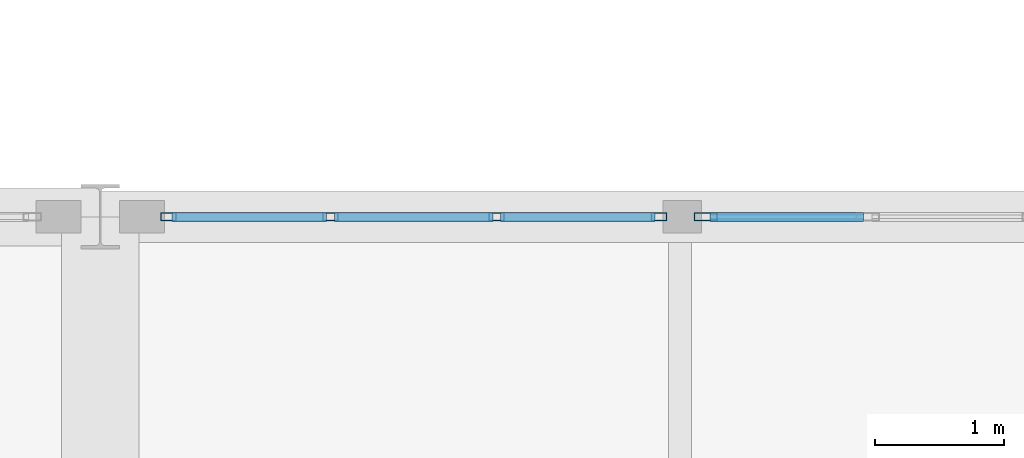
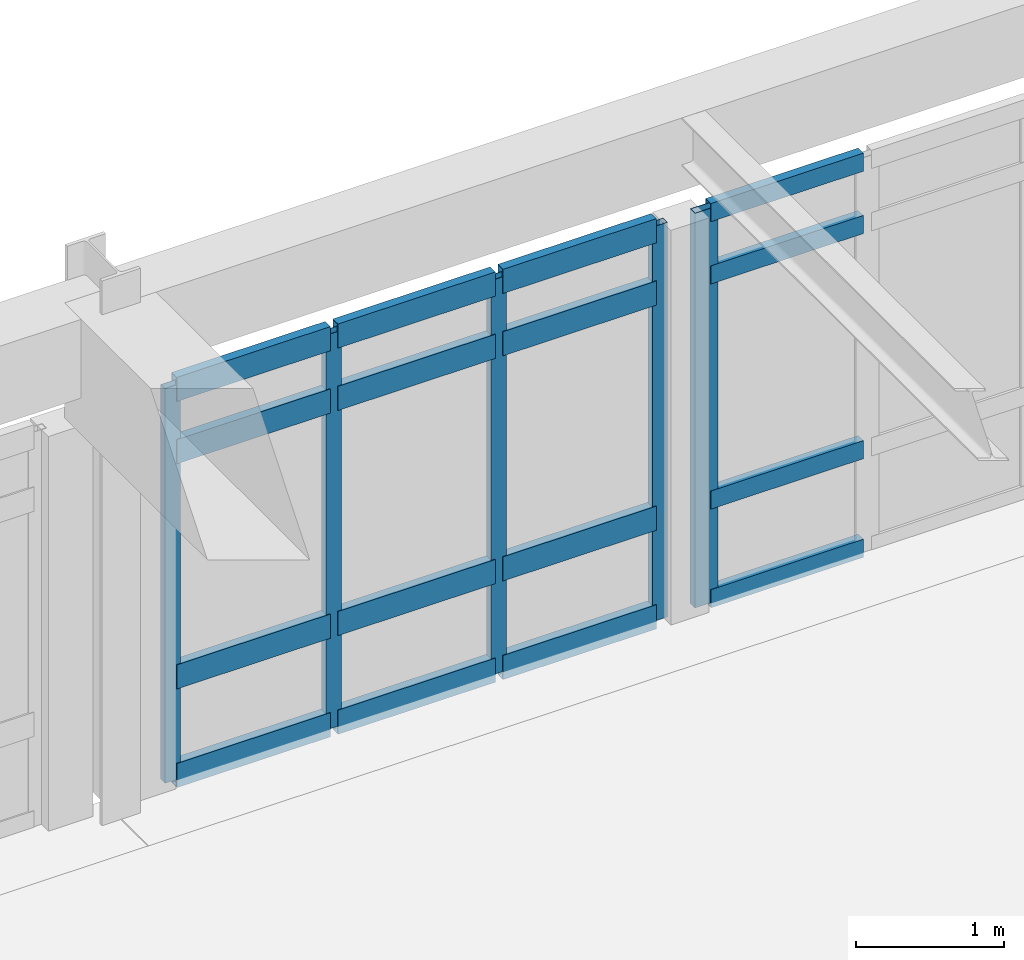
# One storey, part 33 of 80: 21 members, 2 elements without a shape of their own.
"""IFC4 building model written with IfcOpenShell, lengths in metres."""

from ifc_helpers import new_model, si_unit, direction, frame, origin, origin_2d, place, context, subcontext, project, spatial, hollow_rectangle, extrude, material, layer, layer_set, material_profile, profile_set, type_object, element, aggregate, save


model = new_model("IFC4")

# Units and contexts
model_context = context("Model", 3, precision=1e-05, world=origin(), true_north=direction((0.0, 1.0)))
body_context = subcontext(model_context, "Body", "Model", "MODEL_VIEW")
ifc_project = project(units=[si_unit("LENGTHUNIT", "METRE"), si_unit("AREAUNIT", "SQUARE_METRE"), si_unit("VOLUMEUNIT", "CUBIC_METRE"), si_unit("PLANEANGLEUNIT", "RADIAN"), si_unit("MASSUNIT", "GRAM", prefix="KILO")], contexts=[model_context])

# Site, building, storey
site_placement = place(None, origin())
site = spatial("IfcSite", under=ifc_project, at=site_placement, CompositionType="ELEMENT")
building_placement = place(site_placement, origin())
building = spatial("IfcBuilding", under=site, at=building_placement, Name="Fikremerkos Civic Library", CompositionType="ELEMENT")
storey_placement = place(building_placement, frame((0.0, 0.0, 9.89990234375)))
storey = spatial("IfcBuildingStorey", under=building, at=storey_placement, Name="L02", CompositionType="ELEMENT", Elevation=9.89990234375)

# Curtain wall, member
ifc_material = material(Name="Anodized aluminium Frame", Category="aluminium")
ifc_layer_1 = layer(ifc_material, 0.159912109375, Name="Anodized aluminium Frame")
ifc_layer_set_1 = layer_set([ifc_layer_1], Name="Anodized aluminium Frame")
curtain_wall_type_1 = type_object("IfcCurtainWallType", Name="Unitised curtain wall CW-17 4600x3600", PredefinedType="USERDEFINED", material=ifc_layer_set_1)
curtain_wall_1_placement = place(storey_placement, origin())
curtain_wall_1 = element("IfcCurtainWall", 1, at=curtain_wall_1_placement, inside=storey, type_object=curtain_wall_type_1, Name="Unitised curtain wall CW-17 L02 #161", ObjectType="UNITISED CURTAIN WALL", PredefinedType="USERDEFINED")
ifc_material_profile_1 = material_profile(ifc_material, hollow_rectangle(XDim=0.06494140625, YDim=0.179931640625, WallThickness=0.00439453125, at=origin_2d()), Name="ALU 180x65x4.5")
ifc_profile_set_1 = profile_set([ifc_material_profile_1], Name="Anodized aluminium Frame")
member_type_1 = type_object("IfcMemberType", Name="Curtain mullion CWM-01 ALU 180x65x4.5", PredefinedType="MULLION", material=ifc_profile_set_1)
member_1_placement = place(storey_placement, frame((77.8984375, 48.0, 0.0), z_axis=(0.0, 0.0, 1.0), x_axis=(0.0, 1.0, 0.0)))
member_1 = element("IfcMember", 2, at=member_1_placement, type_object=member_type_1, Name="CW-17 mullion 1", PredefinedType="MULLION", context=body_context, shape_type="SweptSolid", body=[
    extrude(hollow_rectangle(XDim=0.06494140625, YDim=0.179931640625, WallThickness=0.00439453125, at=origin_2d()), origin(), (0.0, 0.0, 1.0), 3.260009765625),
])

# Curtain wall, members
ifc_layer_2 = layer(ifc_material, 0.159912109375, Name="Anodized aluminium Frame")
ifc_layer_set_2 = layer_set([ifc_layer_2], Name="Anodized aluminium Frame")
curtain_wall_type_2 = type_object("IfcCurtainWallType", Name="Unitised curtain wall CW-16 3100x4100", PredefinedType="USERDEFINED", material=ifc_layer_set_2)
curtain_wall_2_placement = place(storey_placement, origin())
curtain_wall_2 = element("IfcCurtainWall", 3, at=curtain_wall_2_placement, inside=storey, type_object=curtain_wall_type_2, Name="Unitised curtain wall CW-16 L02 #160", ObjectType="UNITISED CURTAIN WALL", PredefinedType="USERDEFINED")
ifc_material_profile_2 = material_profile(ifc_material, hollow_rectangle(XDim=0.06005859375, YDim=0.1201171875, WallThickness=0.00390625, at=origin_2d()), Name="ALU 120x60x4")
ifc_profile_set_2 = profile_set([ifc_material_profile_2], Name="Anodized aluminium Frame")
member_type_2 = type_object("IfcMemberType", Name="Curtain mullion CWM-04 ALU 120x60x4", PredefinedType="MULLION", material=ifc_profile_set_2)
member_2_placement = place(storey_placement, frame((73.72802734375, 48.0, 0.0), z_axis=(0.0, 0.0, 1.0), x_axis=(0.0, 1.0, 0.0)))
member_2 = element("IfcMember", 4, at=member_2_placement, type_object=member_type_2, Name="CW-16 mullion 1", PredefinedType="MULLION", context=body_context, shape_type="SweptSolid", body=[
    extrude(hollow_rectangle(XDim=0.06005859375, YDim=0.1201171875, WallThickness=0.00390625, at=origin_2d()), origin(), (0.0, 0.0, 1.0), 3.260009765625),
])
member_3_placement = place(storey_placement, frame((74.9873046875, 48.0, 0.0), z_axis=(0.0, 0.0, 1.0), x_axis=(0.0, 1.0, 0.0)))
member_3 = element("IfcMember", 5, at=member_3_placement, type_object=member_type_2, Name="CW-16 mullion 2", PredefinedType="MULLION", context=body_context, shape_type="SweptSolid", body=[
    extrude(hollow_rectangle(XDim=0.06005859375, YDim=0.1201171875, WallThickness=0.00390625, at=origin_2d()), origin(), (0.0, 0.0, 1.0), 3.260009765625),
])
member_4_placement = place(storey_placement, frame((76.276611328125, 48.0, 0.0), z_axis=(0.0, 0.0, 1.0), x_axis=(0.0, 1.0, 0.0)))
member_4 = element("IfcMember", 6, at=member_4_placement, type_object=member_type_2, Name="CW-16 mullion 3", PredefinedType="MULLION", context=body_context, shape_type="SweptSolid", body=[
    extrude(hollow_rectangle(XDim=0.06005859375, YDim=0.1201171875, WallThickness=0.00390625, at=origin_2d()), origin(), (0.0, 0.0, 1.0), 3.260009765625),
])
member_5_placement = place(storey_placement, frame((77.535888671875, 48.0, 0.0), z_axis=(0.0, 0.0, 1.0), x_axis=(0.0, 1.0, 0.0)))
member_5 = element("IfcMember", 7, at=member_5_placement, type_object=member_type_2, Name="CW-16 mullion 4", PredefinedType="MULLION", context=body_context, shape_type="SweptSolid", body=[
    extrude(hollow_rectangle(XDim=0.06005859375, YDim=0.1201171875, WallThickness=0.00390625, at=origin_2d()), origin(), (0.0, 0.0, 1.0), 3.260009765625),
])

# Member
ifc_material_profile_3 = material_profile(ifc_material, hollow_rectangle(XDim=0.070068359375, YDim=0.14990234375, WallThickness=0.00439453125, at=origin_2d()), Name="ALU 150x70x4.5")
ifc_profile_set_3 = profile_set([ifc_material_profile_3], Name="Anodized aluminium Frame")
member_type_3 = type_object("IfcMemberType", Name="Curtain transom CWT-01 ALU 150x70x4.5", PredefinedType="USERDEFINED", material=ifc_profile_set_3)
member_6_placement = place(storey_placement, frame((77.930908203125, 48.0, 0.03515625), z_axis=(1.0, 0.0, 0.0), x_axis=(0.0, 1.0, 0.0)))
member_6 = element("IfcMember", 8, at=member_6_placement, type_object=member_type_3, Name="CW-17 transom 1.1", ObjectType="TRANSOM", PredefinedType="USERDEFINED", context=body_context, shape_type="SweptSolid", body=[
    extrude(hollow_rectangle(XDim=0.070068359375, YDim=0.14990234375, WallThickness=0.00439453125, at=origin_2d()), origin(), (0.0, 0.0, 1.0), 1.19189453125),
])

member_7_placement = place(storey_placement, frame((77.930908203125, 48.0, 0.85009765625), z_axis=(1.0, 0.0, 0.0), x_axis=(0.0, 1.0, 0.0)))
member_7 = element("IfcMember", 9, at=member_7_placement, type_object=member_type_3, Name="CW-17 transom 1.2", ObjectType="TRANSOM", PredefinedType="USERDEFINED", context=body_context, shape_type="SweptSolid", body=[
    extrude(hollow_rectangle(XDim=0.070068359375, YDim=0.14990234375, WallThickness=0.00439453125, at=origin_2d()), origin(), (0.0, 0.0, 1.0), 1.19189453125),
])

member_8_placement = place(storey_placement, frame((77.930908203125, 48.0, 2.710205078125), z_axis=(1.0, 0.0, 0.0), x_axis=(0.0, 1.0, 0.0)))
member_8 = element("IfcMember", 10, at=member_8_placement, type_object=member_type_3, Name="CW-17 transom 1.3", ObjectType="TRANSOM", PredefinedType="USERDEFINED", context=body_context, shape_type="SweptSolid", body=[
    extrude(hollow_rectangle(XDim=0.070068359375, YDim=0.14990234375, WallThickness=0.00439453125, at=origin_2d()), origin(), (0.0, 0.0, 1.0), 1.19189453125),
])

member_9_placement = place(storey_placement, frame((77.930908203125, 48.0, 3.22509765625), z_axis=(1.0, 0.0, 0.0), x_axis=(0.0, 1.0, 0.0)))
member_9 = element("IfcMember", 11, at=member_9_placement, type_object=member_type_3, Name="CW-17 transom 1.4", ObjectType="TRANSOM", PredefinedType="USERDEFINED", context=body_context, shape_type="SweptSolid", body=[
    extrude(hollow_rectangle(XDim=0.070068359375, YDim=0.14990234375, WallThickness=0.00439453125, at=origin_2d()), origin(), (0.0, 0.0, 1.0), 1.19189453125),
])

aggregate(curtain_wall_1, [member_1, member_6, member_7, member_8, member_9])

ifc_material_profile_4 = material_profile(ifc_material, hollow_rectangle(XDim=0.070068359375, YDim=0.199951171875, WallThickness=0.0048828125, at=origin_2d()), Name="ALU 200x70x5")
ifc_profile_set_4 = profile_set([ifc_material_profile_4], Name="Anodized aluminium Frame")
member_type_4 = type_object("IfcMemberType", Name="Curtain transom CWT-04 ALU 200x70x5", PredefinedType="USERDEFINED", material=ifc_profile_set_4)
member_10_placement = place(storey_placement, frame((73.758056640625, 48.0, 0.03515625), z_axis=(1.0, 0.0, 0.0), x_axis=(0.0, 1.0, 0.0)))
member_10 = element("IfcMember", 12, at=member_10_placement, type_object=member_type_4, Name="CW-16 transom 1.1", ObjectType="TRANSOM", PredefinedType="USERDEFINED", context=body_context, shape_type="SweptSolid", body=[
    extrude(hollow_rectangle(XDim=0.070068359375, YDim=0.199951171875, WallThickness=0.0048828125, at=origin_2d()), origin(), (0.0, 0.0, 1.0), 1.19921875),
])

member_11_placement = place(storey_placement, frame((73.758056640625, 48.0, 0.85009765625), z_axis=(1.0, 0.0, 0.0), x_axis=(0.0, 1.0, 0.0)))
member_11 = element("IfcMember", 13, at=member_11_placement, type_object=member_type_4, Name="CW-16 transom 1.2", ObjectType="TRANSOM", PredefinedType="USERDEFINED", context=body_context, shape_type="SweptSolid", body=[
    extrude(hollow_rectangle(XDim=0.070068359375, YDim=0.199951171875, WallThickness=0.0048828125, at=origin_2d()), origin(), (0.0, 0.0, 1.0), 1.19921875),
])

member_12_placement = place(storey_placement, frame((73.758056640625, 48.0, 2.710205078125), z_axis=(1.0, 0.0, 0.0), x_axis=(0.0, 1.0, 0.0)))
member_12 = element("IfcMember", 14, at=member_12_placement, type_object=member_type_4, Name="CW-16 transom 1.3", ObjectType="TRANSOM", PredefinedType="USERDEFINED", context=body_context, shape_type="SweptSolid", body=[
    extrude(hollow_rectangle(XDim=0.070068359375, YDim=0.199951171875, WallThickness=0.0048828125, at=origin_2d()), origin(), (0.0, 0.0, 1.0), 1.19921875),
])

member_13_placement = place(storey_placement, frame((73.758056640625, 48.0, 3.22509765625), z_axis=(1.0, 0.0, 0.0), x_axis=(0.0, 1.0, 0.0)))
member_13 = element("IfcMember", 15, at=member_13_placement, type_object=member_type_4, Name="CW-16 transom 1.4", ObjectType="TRANSOM", PredefinedType="USERDEFINED", context=body_context, shape_type="SweptSolid", body=[
    extrude(hollow_rectangle(XDim=0.070068359375, YDim=0.199951171875, WallThickness=0.0048828125, at=origin_2d()), origin(), (0.0, 0.0, 1.0), 1.19921875),
])

member_14_placement = place(storey_placement, frame((75.017333984375, 48.0, 0.03515625), z_axis=(1.0, 0.0, 0.0), x_axis=(0.0, 1.0, 0.0)))
member_14 = element("IfcMember", 16, at=member_14_placement, type_object=member_type_4, Name="CW-16 transom 2.1", ObjectType="TRANSOM", PredefinedType="USERDEFINED", context=body_context, shape_type="SweptSolid", body=[
    extrude(hollow_rectangle(XDim=0.070068359375, YDim=0.199951171875, WallThickness=0.0048828125, at=origin_2d()), origin(), (0.0, 0.0, 1.0), 1.229248046875),
])

member_15_placement = place(storey_placement, frame((75.017333984375, 48.0, 0.85009765625), z_axis=(1.0, 0.0, 0.0), x_axis=(0.0, 1.0, 0.0)))
member_15 = element("IfcMember", 17, at=member_15_placement, type_object=member_type_4, Name="CW-16 transom 2.2", ObjectType="TRANSOM", PredefinedType="USERDEFINED", context=body_context, shape_type="SweptSolid", body=[
    extrude(hollow_rectangle(XDim=0.070068359375, YDim=0.199951171875, WallThickness=0.0048828125, at=origin_2d()), origin(), (0.0, 0.0, 1.0), 1.229248046875),
])

member_16_placement = place(storey_placement, frame((75.017333984375, 48.0, 2.710205078125), z_axis=(1.0, 0.0, 0.0), x_axis=(0.0, 1.0, 0.0)))
member_16 = element("IfcMember", 18, at=member_16_placement, type_object=member_type_4, Name="CW-16 transom 2.3", ObjectType="TRANSOM", PredefinedType="USERDEFINED", context=body_context, shape_type="SweptSolid", body=[
    extrude(hollow_rectangle(XDim=0.070068359375, YDim=0.199951171875, WallThickness=0.0048828125, at=origin_2d()), origin(), (0.0, 0.0, 1.0), 1.229248046875),
])

member_17_placement = place(storey_placement, frame((75.017333984375, 48.0, 3.22509765625), z_axis=(1.0, 0.0, 0.0), x_axis=(0.0, 1.0, 0.0)))
member_17 = element("IfcMember", 19, at=member_17_placement, type_object=member_type_4, Name="CW-16 transom 2.4", ObjectType="TRANSOM", PredefinedType="USERDEFINED", context=body_context, shape_type="SweptSolid", body=[
    extrude(hollow_rectangle(XDim=0.070068359375, YDim=0.199951171875, WallThickness=0.0048828125, at=origin_2d()), origin(), (0.0, 0.0, 1.0), 1.229248046875),
])

member_18_placement = place(storey_placement, frame((76.306640625, 48.0, 0.03515625), z_axis=(1.0, 0.0, 0.0), x_axis=(0.0, 1.0, 0.0)))
member_18 = element("IfcMember", 20, at=member_18_placement, type_object=member_type_4, Name="CW-16 transom 3.1", ObjectType="TRANSOM", PredefinedType="USERDEFINED", context=body_context, shape_type="SweptSolid", body=[
    extrude(hollow_rectangle(XDim=0.070068359375, YDim=0.199951171875, WallThickness=0.0048828125, at=origin_2d()), origin(), (0.0, 0.0, 1.0), 1.199462890625),
])

member_19_placement = place(storey_placement, frame((76.306640625, 48.0, 0.85009765625), z_axis=(1.0, 0.0, 0.0), x_axis=(0.0, 1.0, 0.0)))
member_19 = element("IfcMember", 21, at=member_19_placement, type_object=member_type_4, Name="CW-16 transom 3.2", ObjectType="TRANSOM", PredefinedType="USERDEFINED", context=body_context, shape_type="SweptSolid", body=[
    extrude(hollow_rectangle(XDim=0.070068359375, YDim=0.199951171875, WallThickness=0.0048828125, at=origin_2d()), origin(), (0.0, 0.0, 1.0), 1.199462890625),
])

member_20_placement = place(storey_placement, frame((76.306640625, 48.0, 2.710205078125), z_axis=(1.0, 0.0, 0.0), x_axis=(0.0, 1.0, 0.0)))
member_20 = element("IfcMember", 22, at=member_20_placement, type_object=member_type_4, Name="CW-16 transom 3.3", ObjectType="TRANSOM", PredefinedType="USERDEFINED", context=body_context, shape_type="SweptSolid", body=[
    extrude(hollow_rectangle(XDim=0.070068359375, YDim=0.199951171875, WallThickness=0.0048828125, at=origin_2d()), origin(), (0.0, 0.0, 1.0), 1.199462890625),
])

member_21_placement = place(storey_placement, frame((76.306640625, 48.0, 3.22509765625), z_axis=(1.0, 0.0, 0.0), x_axis=(0.0, 1.0, 0.0)))
member_21 = element("IfcMember", 23, at=member_21_placement, type_object=member_type_4, Name="CW-16 transom 3.4", ObjectType="TRANSOM", PredefinedType="USERDEFINED", context=body_context, shape_type="SweptSolid", body=[
    extrude(hollow_rectangle(XDim=0.070068359375, YDim=0.199951171875, WallThickness=0.0048828125, at=origin_2d()), origin(), (0.0, 0.0, 1.0), 1.199462890625),
])

aggregate(curtain_wall_2, [member_2, member_3, member_4, member_5, member_10, member_11, member_12, member_13, member_14, member_15, member_16, member_17, member_18, member_19, member_20, member_21])

save(model, "model.ifc")
